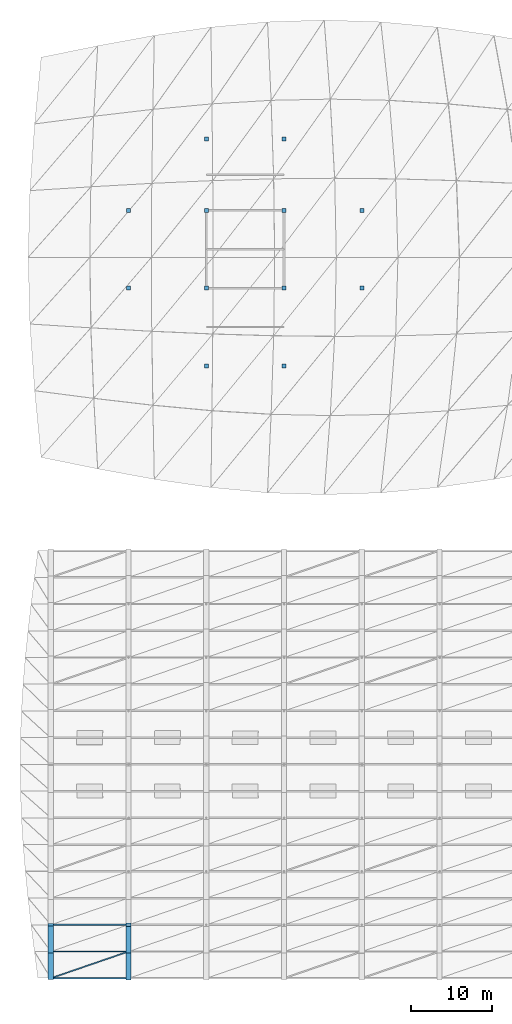
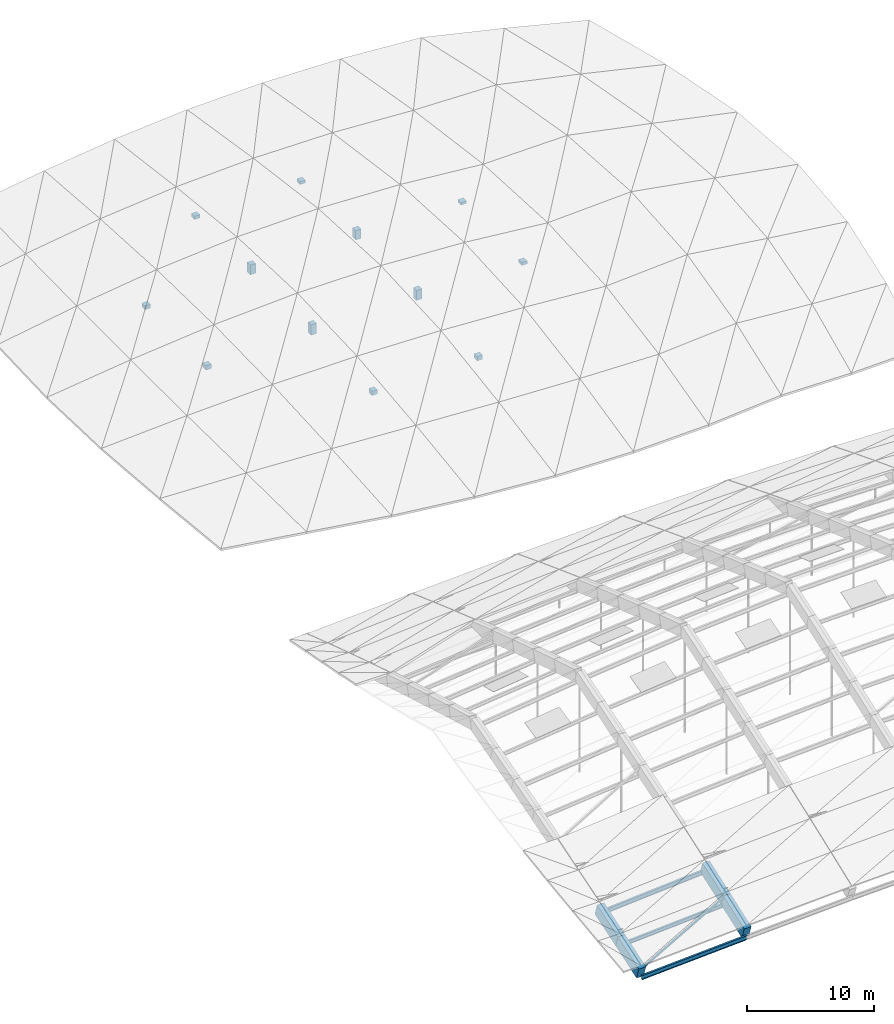
# One storey, part 1 of 43: 12 columns, 4 beams, 4 members.
"""IFC4 building model written with IfcOpenShell, lengths in metres."""

from ifc_helpers import new_model, si_unit, direction, frame, origin, origin_2d, place, context, subcontext, project, spatial, rectangle, hollow_rectangle, i_section, extrude, material, material_profile, profile_set, type_object, element, save


model = new_model("IFC4")

# Units and contexts
model_context = context("Model", 3, precision=1e-05, world=origin(), true_north=direction((0.0, 1.0)))
body_context = subcontext(model_context, "Body", "Model", "MODEL_VIEW")
ifc_project = project(units=[si_unit("LENGTHUNIT", "METRE"), si_unit("AREAUNIT", "SQUARE_METRE"), si_unit("VOLUMEUNIT", "CUBIC_METRE"), si_unit("PLANEANGLEUNIT", "RADIAN"), si_unit("MASSUNIT", "GRAM", prefix="KILO")], contexts=[model_context])

# Site, building, storey
site_placement = place(None, origin())
site = spatial("IfcSite", under=ifc_project, at=site_placement, CompositionType="ELEMENT")
building_placement = place(site_placement, origin())
building = spatial("IfcBuilding", under=site, at=building_placement, Name="Chalmorin Arch Market", CompositionType="ELEMENT")
storey_placement = place(building_placement, frame((0.0, 0.0, 18.60009765625)))
storey = spatial("IfcBuildingStorey", under=building, at=storey_placement, Name="RF", CompositionType="ELEMENT", Elevation=18.60009765625)

# Columns
ifc_material_1 = material(Name="Concrete C40/50", Category="concrete")
ifc_material_profile_1 = material_profile(ifc_material_1, rectangle(XDim=0.5, YDim=0.5, at=origin_2d()), Name="RC500X500")
ifc_profile_set_1 = profile_set([ifc_material_profile_1], Name="Concrete C40/50")
column_type = type_object("IfcColumnType", Name="UpperConcreteColumn-500x500", PredefinedType="COLUMN", material=ifc_profile_set_1)
column_1_placement = place(storey_placement, frame((57.60009765625, 91.199951171875, 0.0), z_axis=(0.0, 0.0, 1.0), x_axis=(1.0, 0.0, 0.0)))
element("IfcColumn", 1, at=column_1_placement, inside=storey, type_object=column_type, Name="C-RC3R-001", PredefinedType="COLUMN", context=body_context, shape_type="SweptSolid", body=[
    extrude(rectangle(XDim=0.5, YDim=0.5, at=origin_2d()), origin(), (0.0, 0.0, 1.0), 0.410888671875),
])
column_2_placement = place(storey_placement, frame((57.60009765625, 100.800048828125, 0.0), z_axis=(0.0, 0.0, 1.0), x_axis=(1.0, 0.0, 0.0)))
element("IfcColumn", 2, at=column_2_placement, inside=storey, type_object=column_type, Name="C-RC3R-002", PredefinedType="COLUMN", context=body_context, shape_type="SweptSolid", body=[
    extrude(rectangle(XDim=0.5, YDim=0.5, at=origin_2d()), origin(), (0.0, 0.0, 1.0), 0.35986328125),
])
column_3_placement = place(storey_placement, frame((67.199951171875, 81.60009765625, 0.0), z_axis=(0.0, 0.0, 1.0), x_axis=(1.0, 0.0, 0.0)))
element("IfcColumn", 3, at=column_3_placement, inside=storey, type_object=column_type, Name="C-RC3R-003", PredefinedType="COLUMN", context=body_context, shape_type="SweptSolid", body=[
    extrude(rectangle(XDim=0.5, YDim=0.5, at=origin_2d()), origin(), (0.0, 0.0, 1.0), 0.421875),
])
column_4_placement = place(storey_placement, frame((67.199951171875, 91.199951171875, 0.0), z_axis=(0.0, 0.0, 1.0), x_axis=(1.0, 0.0, 0.0)))
element("IfcColumn", 4, at=column_4_placement, inside=storey, type_object=column_type, Name="C-RC3R-004", PredefinedType="COLUMN", context=body_context, shape_type="SweptSolid", body=[
    extrude(rectangle(XDim=0.5, YDim=0.5, at=origin_2d()), origin(), (0.0, 0.0, 1.0), 1.001953125),
])
column_5_placement = place(storey_placement, frame((67.199951171875, 100.800048828125, 0.0), z_axis=(0.0, 0.0, 1.0), x_axis=(1.0, 0.0, 0.0)))
element("IfcColumn", 5, at=column_5_placement, inside=storey, type_object=column_type, Name="C-RC3R-005", PredefinedType="COLUMN", context=body_context, shape_type="SweptSolid", body=[
    extrude(rectangle(XDim=0.5, YDim=0.5, at=origin_2d()), origin(), (0.0, 0.0, 1.0), 0.931884765625),
])
column_6_placement = place(storey_placement, frame((67.199951171875, 109.60009765625, 0.0), z_axis=(0.0, 0.0, 1.0), x_axis=(1.0, 0.0, 0.0)))
element("IfcColumn", 6, at=column_6_placement, inside=storey, type_object=column_type, Name="C-RC3R-006", PredefinedType="COLUMN", context=body_context, shape_type="SweptSolid", body=[
    extrude(rectangle(XDim=0.5, YDim=0.5, at=origin_2d()), origin(), (0.0, 0.0, 1.0), 0.310791015625),
])
column_7_placement = place(storey_placement, frame((76.800048828125, 81.60009765625, 0.0), z_axis=(0.0, 0.0, 1.0), x_axis=(1.0, 0.0, 0.0)))
element("IfcColumn", 7, at=column_7_placement, inside=storey, type_object=column_type, Name="C-RC3R-007", PredefinedType="COLUMN", context=body_context, shape_type="SweptSolid", body=[
    extrude(rectangle(XDim=0.5, YDim=0.5, at=origin_2d()), origin(), (0.0, 0.0, 1.0), 0.391845703125),
])
column_8_placement = place(storey_placement, frame((76.800048828125, 91.199951171875, 0.0), z_axis=(0.0, 0.0, 1.0), x_axis=(1.0, 0.0, 0.0)))
element("IfcColumn", 8, at=column_8_placement, inside=storey, type_object=column_type, Name="C-RC3R-008", PredefinedType="COLUMN", context=body_context, shape_type="SweptSolid", body=[
    extrude(rectangle(XDim=0.5, YDim=0.5, at=origin_2d()), origin(), (0.0, 0.0, 1.0), 0.9609375),
])
column_9_placement = place(storey_placement, frame((76.800048828125, 100.800048828125, 0.0), z_axis=(0.0, 0.0, 1.0), x_axis=(1.0, 0.0, 0.0)))
element("IfcColumn", 9, at=column_9_placement, inside=storey, type_object=column_type, Name="C-RC3R-009", PredefinedType="COLUMN", context=body_context, shape_type="SweptSolid", body=[
    extrude(rectangle(XDim=0.5, YDim=0.5, at=origin_2d()), origin(), (0.0, 0.0, 1.0), 0.891845703125),
])
column_10_placement = place(storey_placement, frame((76.800048828125, 109.60009765625, 0.0), z_axis=(0.0, 0.0, 1.0), x_axis=(1.0, 0.0, 0.0)))
element("IfcColumn", 10, at=column_10_placement, inside=storey, type_object=column_type, Name="C-RC3R-010", PredefinedType="COLUMN", context=body_context, shape_type="SweptSolid", body=[
    extrude(rectangle(XDim=0.5, YDim=0.5, at=origin_2d()), origin(), (0.0, 0.0, 1.0), 0.281982421875),
])
column_11_placement = place(storey_placement, frame((86.39990234375, 91.199951171875, 0.0), z_axis=(0.0, 0.0, 1.0), x_axis=(1.0, 0.0, 0.0)))
element("IfcColumn", 11, at=column_11_placement, inside=storey, type_object=column_type, Name="C-RC3R-011", PredefinedType="COLUMN", context=body_context, shape_type="SweptSolid", body=[
    extrude(rectangle(XDim=0.5, YDim=0.5, at=origin_2d()), origin(), (0.0, 0.0, 1.0), 0.298828125),
])
column_12_placement = place(storey_placement, frame((86.39990234375, 100.800048828125, 0.0), z_axis=(0.0, 0.0, 1.0), x_axis=(1.0, 0.0, 0.0)))
element("IfcColumn", 12, at=column_12_placement, inside=storey, type_object=column_type, Name="C-RC3R-012", PredefinedType="COLUMN", context=body_context, shape_type="SweptSolid", body=[
    extrude(rectangle(XDim=0.5, YDim=0.5, at=origin_2d()), origin(), (0.0, 0.0, 1.0), 0.2509765625),
])

# Beams
ifc_material_2 = material(Name="Concrete C50/60", Category="concrete")
ifc_material_profile_2 = material_profile(ifc_material_2, rectangle(XDim=0.64990234375, YDim=1.14990234375, at=origin_2d()), Name="RC650X1150")
ifc_profile_set_2 = profile_set([ifc_material_profile_2], Name="Concrete C50/60")
beam_type = type_object("IfcBeamType", Name="ArchRibChord-650x1150", PredefinedType="BEAM", material=ifc_profile_set_2)
beam_1_placement = place(storey_placement, frame((48.0, 6.0, -3.25), z_axis=(0.0, 0.948592027555, 0.316501445903), x_axis=(-1.0, 0.0, 0.0)))
element("IfcBeam", 13, at=beam_1_placement, inside=storey, type_object=beam_type, Name="AR-01-1585", PredefinedType="BEAM", context=body_context, shape_type="SweptSolid", body=[
    extrude(rectangle(XDim=0.64990234375, YDim=1.14990234375, at=origin_2d()), origin(), (0.0, 0.0, 1.0), 3.47900390625),
])
beam_2_placement = place(storey_placement, frame((48.0, 9.300048828125, -2.14892578125), z_axis=(0.0, 0.950765438131, 0.309911409366), x_axis=(-1.0, 0.0, 0.0)))
element("IfcBeam", 14, at=beam_2_placement, inside=storey, type_object=beam_type, Name="AR-01-1586", PredefinedType="BEAM", context=body_context, shape_type="SweptSolid", body=[
    extrude(rectangle(XDim=0.64990234375, YDim=1.14990234375, at=origin_2d()), origin(), (0.0, 0.0, 1.0), 3.470947265625),
])
beam_3_placement = place(storey_placement, frame((57.60009765625, 6.0, -2.7333984375), z_axis=(0.0, 0.940512524689, 0.339759018869), x_axis=(-1.0, 0.0, 0.0)))
element("IfcBeam", 15, at=beam_3_placement, inside=storey, type_object=beam_type, Name="AR-01-1604", PredefinedType="BEAM", context=body_context, shape_type="SweptSolid", body=[
    extrude(rectangle(XDim=0.64990234375, YDim=1.14990234375, at=origin_2d()), origin(), (0.0, 0.0, 1.0), 3.5087890625),
])
beam_4_placement = place(storey_placement, frame((57.60009765625, 9.300048828125, -1.541259765625), z_axis=(0.0, 0.94300578807, 0.332776326781), x_axis=(-1.0, 0.0, 0.0)))
element("IfcBeam", 16, at=beam_4_placement, inside=storey, type_object=beam_type, Name="AR-01-1605", PredefinedType="BEAM", context=body_context, shape_type="SweptSolid", body=[
    extrude(rectangle(XDim=0.64990234375, YDim=1.14990234375, at=origin_2d()), origin(), (0.0, 0.0, 1.0), 3.49951171875),
])

# Members
ifc_material_3 = material(Name="Steel A992 Grade 50", Category="steel")
ifc_material_profile_3 = material_profile(ifc_material_3, i_section(OverallWidth=0.1708984375, OverallDepth=0.35107421875, WebThickness=0.0068359375, FlangeThickness=0.009765625, FilletRadius=0.014892578125, at=origin_2d()), Name="W14X30")
ifc_profile_set_3 = profile_set([ifc_material_profile_3], Name="Steel A992 Grade 50")
member_type_1 = type_object("IfcMemberType", Name="RoofSteelPurlin-W14X30", PredefinedType="PURLIN", material=ifc_profile_set_3)
member_1_placement = place(storey_placement, frame((48.02001953125, 9.300048828125, -2.62890625), z_axis=(0.997985973277, 0.0, 0.063434983592), x_axis=(0.0, 1.0, 0.0)))
element("IfcMember", 17, at=member_1_placement, inside=storey, type_object=member_type_1, Name="PR-W14-0185", PredefinedType="PURLIN", context=body_context, shape_type="SweptSolid", body=[
    extrude(i_section(OverallWidth=0.1708984375, OverallDepth=0.35107421875, WebThickness=0.0068359375, FlangeThickness=0.009765625, FilletRadius=0.014892578125, at=origin_2d()), origin(), (0.0, 0.0, 1.0), 9.579345703125),
])
ifc_material_profile_4 = material_profile(ifc_material_3, i_section(OverallWidth=0.178955078125, OverallDepth=0.409912109375, WebThickness=0.0087890625, FlangeThickness=0.014404296875, FilletRadius=0.01806640625, at=origin_2d()), Name="W16X45")
ifc_profile_set_4 = profile_set([ifc_material_profile_4], Name="Steel A992 Grade 50")
member_type_2 = type_object("IfcMemberType", Name="RoofSteelPurlin-W16X45", PredefinedType="PURLIN", material=ifc_profile_set_4)
member_2_placement = place(storey_placement, frame((48.02001953125, 6.0, -3.72998046875), z_axis=(0.998543164632, 0.0, 0.053958765421), x_axis=(0.0, 1.0, 0.0)))
element("IfcMember", 18, at=member_2_placement, inside=storey, type_object=member_type_2, Name="PR-W16-0184", PredefinedType="PURLIN", context=body_context, shape_type="SweptSolid", body=[
    extrude(i_section(OverallWidth=0.178955078125, OverallDepth=0.409912109375, WebThickness=0.0087890625, FlangeThickness=0.014404296875, FilletRadius=0.01806640625, at=origin_2d()), origin(), (0.0, 0.0, 1.0), 9.573974609375),
])
member_3_placement = place(storey_placement, frame((48.02001953125, 12.60009765625, -1.55322265625), z_axis=(0.997356327314, 0.0, 0.072666060622), x_axis=(0.0, 1.0, 0.0)))
element("IfcMember", 19, at=member_3_placement, inside=storey, type_object=member_type_2, Name="PR-W16-0186", PredefinedType="PURLIN", context=body_context, shape_type="SweptSolid", body=[
    extrude(i_section(OverallWidth=0.178955078125, OverallDepth=0.409912109375, WebThickness=0.0087890625, FlangeThickness=0.014404296875, FilletRadius=0.01806640625, at=origin_2d()), origin(), (0.0, 0.0, 1.0), 9.58544921875),
])
ifc_material_4 = material(Name="Steel A500 Grade C", Category="steel")
ifc_material_profile_5 = material_profile(ifc_material_4, hollow_rectangle(XDim=0.15234375, YDim=0.15234375, WallThickness=0.0087890625, at=origin_2d()), Name="HSS6X6X3/8")
ifc_profile_set_5 = profile_set([ifc_material_profile_5], Name="Steel A500 Grade C")
member_type_3 = type_object("IfcMemberType", Name="VaultWindBrace-HSS6X6", PredefinedType="BRACE", material=ifc_profile_set_5)
member_4_placement = place(storey_placement, frame((48.0, 6.0, -2.900146484375), z_axis=(0.932567132399, 0.320571434023, 0.165989455258), x_axis=(-0.325081112779, 0.945686137212, 0.0)))
element("IfcMember", 20, at=member_4_placement, inside=storey, type_object=member_type_3, Name="BR-HS6-0201", ObjectType="Diagonal brace", PredefinedType="BRACE", context=body_context, shape_type="SweptSolid", body=[
    extrude(hollow_rectangle(XDim=0.15234375, YDim=0.15234375, WallThickness=0.0087890625, at=origin_2d()), origin(), (0.0, 0.0, 1.0), 10.294189453125),
])

save(model, "model.ifc")
